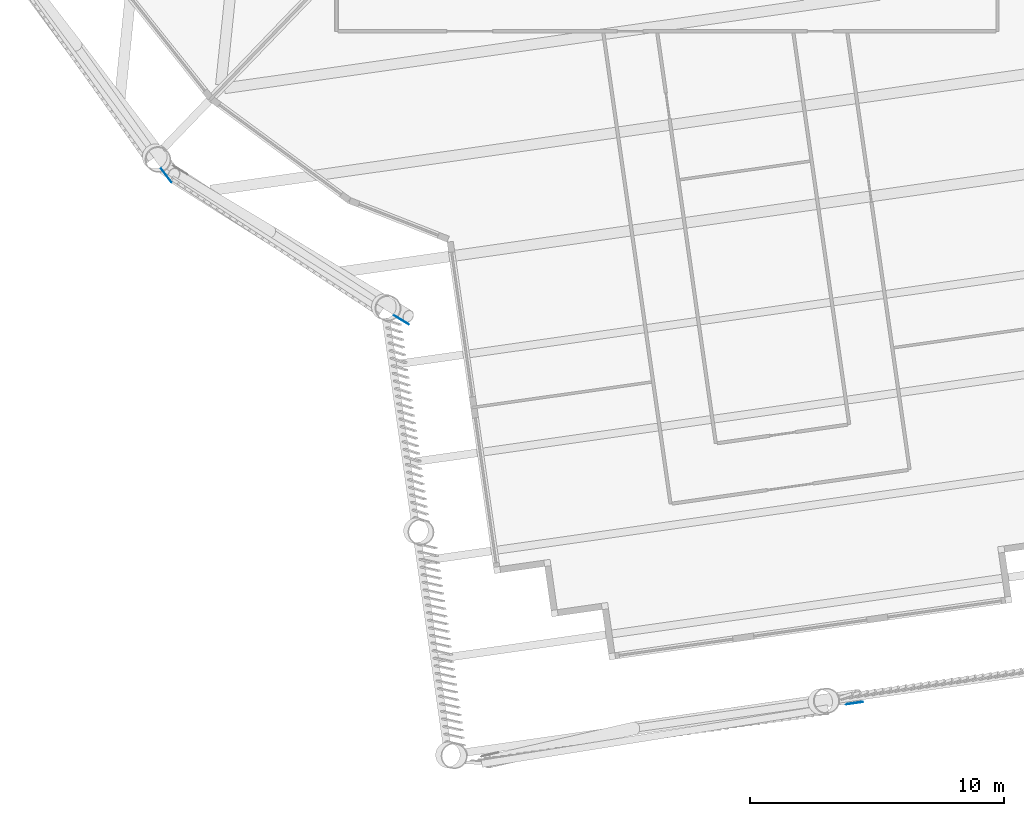
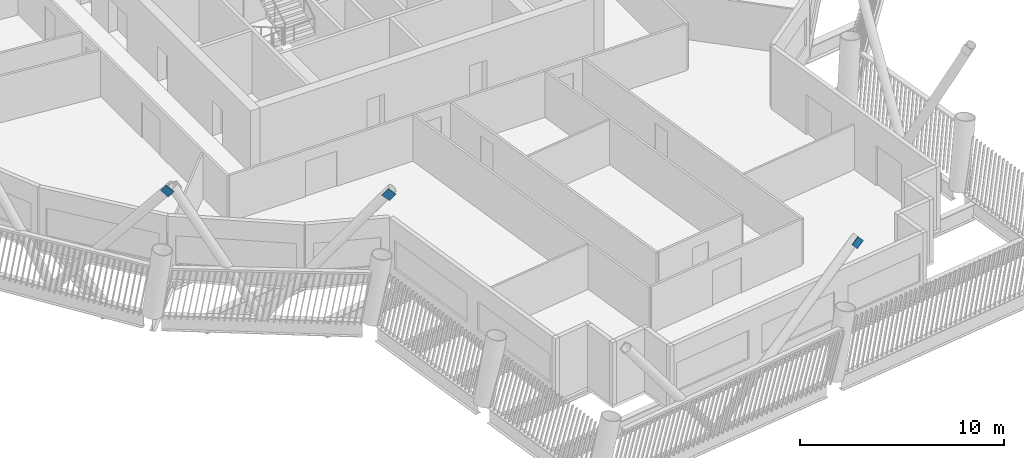
# One storey, part 8 of 22: 3 discrete accessories.
"""IFC4 building model written with IfcOpenShell, lengths in metres."""

from ifc_helpers import new_model, si_unit, direction, frame, origin, origin_2d, place, context, subcontext, project, spatial, rectangle, extrude, material, material_profile, profile_set, type_object, element, save


model = new_model("IFC4")

# Units and contexts
model_context = context("Model", 3, precision=1e-05, world=origin(), true_north=direction((0.0, 1.0)))
body_context = subcontext(model_context, "Body", "Model", "MODEL_VIEW")
ifc_project = project(units=[si_unit("LENGTHUNIT", "METRE"), si_unit("AREAUNIT", "SQUARE_METRE"), si_unit("VOLUMEUNIT", "CUBIC_METRE"), si_unit("PLANEANGLEUNIT", "RADIAN"), si_unit("MASSUNIT", "GRAM", prefix="KILO")], contexts=[model_context])

# Site, building, storey
site_placement = place(None, origin())
site = spatial("IfcSite", under=ifc_project, at=site_placement, CompositionType="ELEMENT")
building_placement = place(site_placement, origin())
building = spatial("IfcBuilding", under=site, at=building_placement, Name="Tarsis Ring Headquarters", CompositionType="ELEMENT")
storey_placement = place(building_placement, frame((0.0, 0.0, 263.0)))
storey = spatial("IfcBuildingStorey", under=building, at=storey_placement, Name="L61", CompositionType="ELEMENT", Elevation=263.0)

# Discrete accessories
ifc_material = material(Name="Structural steel S355", Category="steel")
ifc_material_profile = material_profile(ifc_material, rectangle(XDim=0.02490234375, YDim=0.5, at=origin_2d()), Name="PL 25x500")
ifc_profile_set = profile_set([ifc_material_profile], Name="Structural steel S355")
discrete_accessory_type = type_object("IfcDiscreteAccessoryType", Name="Gusset plate Exo brace 25", PredefinedType="BRACKET", material=ifc_profile_set)
discrete_accessory_1_placement = place(storey_placement, frame((-10.31640625, -27.434814453125, 7.800048828125), z_axis=(-0.540937604034, 0.329542312927, -0.773814171835), x_axis=(-0.52026478404, -0.854005008468, 0.0)))
element("IfcDiscreteAccessory", 1, at=discrete_accessory_1_placement, inside=storey, type_object=discrete_accessory_type, Name="Gusset plate GP5", PredefinedType="BRACKET", context=body_context, shape_type="SweptSolid", body=[
    extrude(rectangle(XDim=0.02490234375, YDim=0.5, at=origin_2d()), origin(), (0.0, 0.0, 1.0), 0.5),
])
discrete_accessory_2_placement = place(storey_placement, frame((7.558837890625, -42.39794921875, 7.800048828125), z_axis=(-0.743935438486, -0.107880401513, -0.659486074405), x_axis=(0.14351203053, -0.989648572521, 0.0)))
element("IfcDiscreteAccessory", 2, at=discrete_accessory_2_placement, inside=storey, type_object=discrete_accessory_type, Name="Gusset plate GP5", PredefinedType="BRACKET", context=body_context, shape_type="SweptSolid", body=[
    extrude(rectangle(XDim=0.02490234375, YDim=0.5, at=origin_2d()), origin(), (0.0, 0.0, 1.0), 0.500244140625),
])
discrete_accessory_3_placement = place(storey_placement, frame((-19.60400390625, -21.789306640625, 7.800048828125), z_axis=(-0.383755165336, 0.5038617438, -0.773857426282), x_axis=(-0.795537882178, -0.605903852124, 0.0)))
element("IfcDiscreteAccessory", 3, at=discrete_accessory_3_placement, inside=storey, type_object=discrete_accessory_type, Name="Gusset plate GP5", PredefinedType="BRACKET", context=body_context, shape_type="SweptSolid", body=[
    extrude(rectangle(XDim=0.02490234375, YDim=0.5, at=origin_2d()), origin(), (0.0, 0.0, 1.0), 0.5),
])

save(model, "model.ifc")
